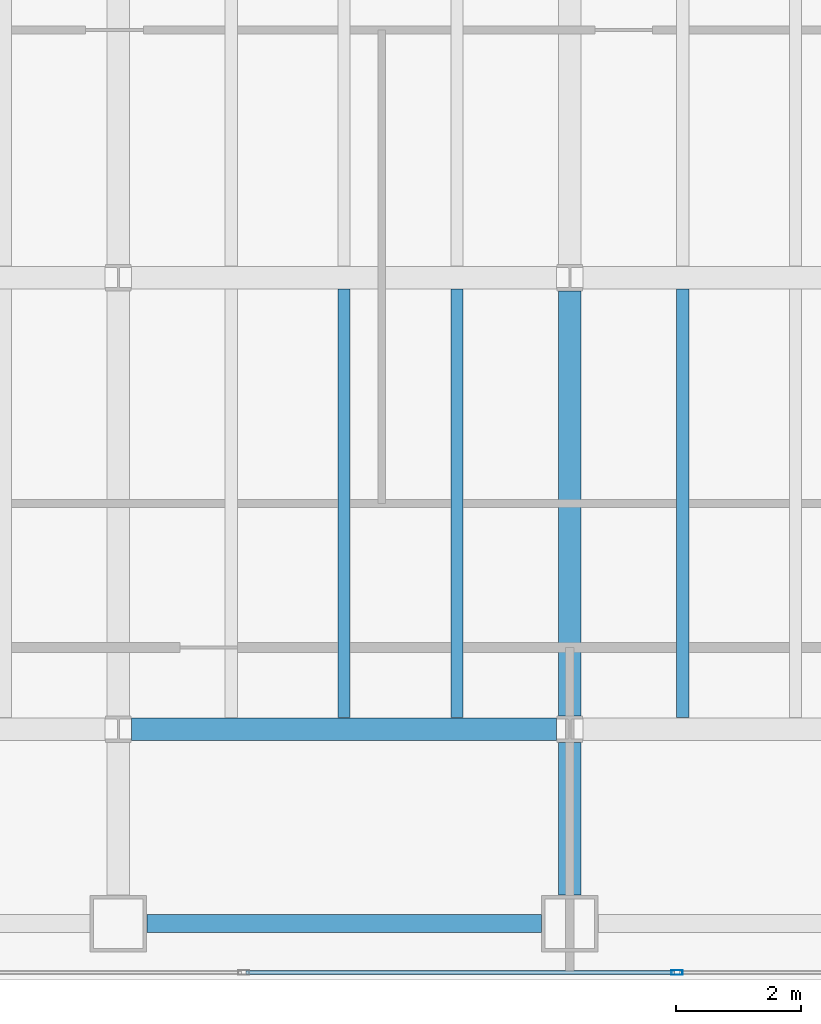
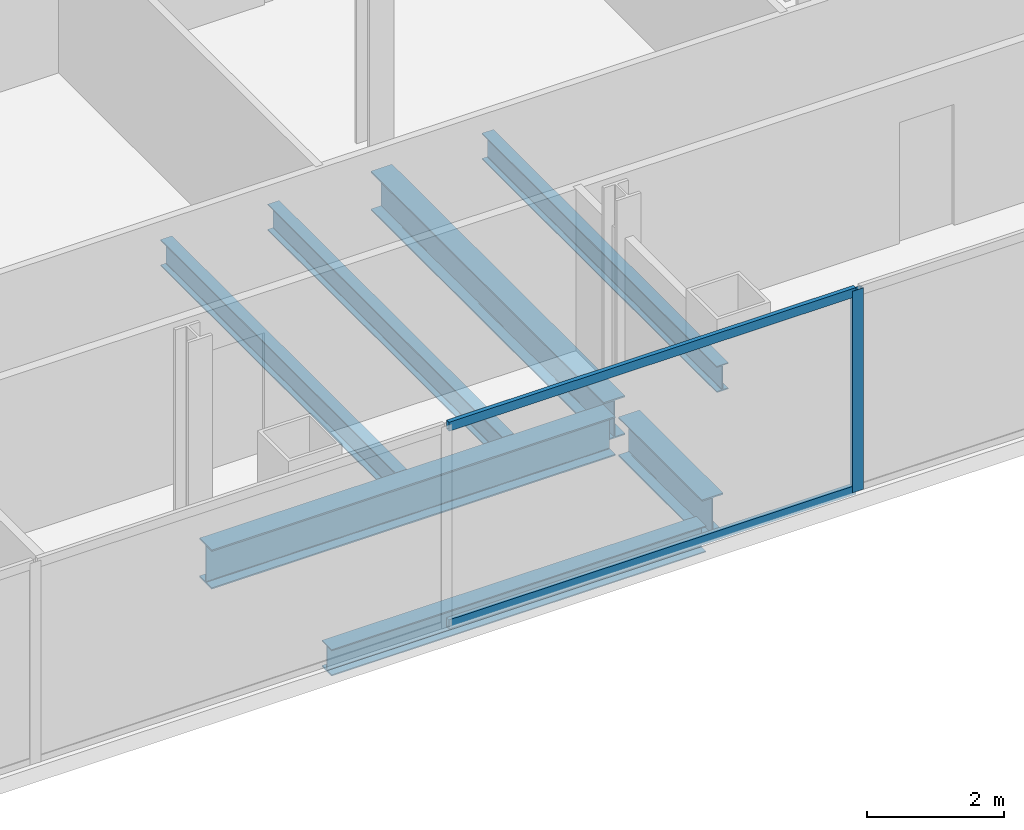
# One storey, part 5 of 23: 7 beams, 3 members, 1 element without a shape of its own.
"""IFC4 building model written with IfcOpenShell, lengths in metres."""

from ifc_helpers import new_model, si_unit, direction, frame, origin, origin_2d, place, context, subcontext, project, spatial, hollow_rectangle, i_section, extrude, material, material_profile, profile_set, type_object, element, aggregate, save


model = new_model("IFC4")

# Units and contexts
model_context = context("Model", 3, precision=1e-05, world=origin(), true_north=direction((0.0, 1.0)))
body_context = subcontext(model_context, "Body", "Model", "MODEL_VIEW")
ifc_project = project(units=[si_unit("LENGTHUNIT", "METRE"), si_unit("AREAUNIT", "SQUARE_METRE"), si_unit("VOLUMEUNIT", "CUBIC_METRE"), si_unit("PLANEANGLEUNIT", "RADIAN"), si_unit("MASSUNIT", "GRAM", prefix="KILO")], contexts=[model_context])

# Site, building, storey
site_placement = place(None, origin())
site = spatial("IfcSite", under=ifc_project, at=site_placement, CompositionType="ELEMENT")
building_placement = place(site_placement, origin())
building = spatial("IfcBuilding", under=site, at=building_placement, Name="Cobrela Telecom Tower", CompositionType="ELEMENT")
storey_placement = place(building_placement, frame((0.0, 0.0, 125.300048828125)))
storey = spatial("IfcBuildingStorey", under=building, at=storey_placement, Name="L31", CompositionType="ELEMENT", Elevation=125.300048828125)

# Beams
ifc_material_1 = material(Name="Steel ASTM A992 Grade 50", Category="steel")
ifc_material_profile_1 = material_profile(ifc_material_1, i_section(OverallWidth=0.35595703125, OverallDepth=0.696044921875, WebThickness=0.015380859375, FlangeThickness=0.024658203125, FilletRadius=0.01806640625, at=origin_2d()), Name="W27X146")
ifc_profile_set_1 = profile_set([ifc_material_profile_1], Name="Steel ASTM A992 Grade 50")
beam_type_1 = type_object("IfcBeamType", Name="BM-GIRD-05", PredefinedType="USERDEFINED", material=ifc_profile_set_1)
beam_1_placement = place(storey_placement, frame((21.8095703125, 7.199951171875, -0.6181640625), z_axis=(1.0, 0.0, 0.0), x_axis=(0.0, 1.0, 0.0)))
element("IfcBeam", 1, at=beam_1_placement, inside=storey, type_object=beam_type_1, Name="L31 Primary Girder X09", ObjectType="GIRDER", PredefinedType="USERDEFINED", context=body_context, shape_type="SweptSolid", body=[
    extrude(i_section(OverallWidth=0.35595703125, OverallDepth=0.696044921875, WebThickness=0.015380859375, FlangeThickness=0.024658203125, FilletRadius=0.01806640625, at=origin_2d()), origin(), (0.0, 0.0, 1.0), 6.781005859375),
])
beam_2_placement = place(storey_placement, frame((28.800048828125, 4.554931640625, -0.6181640625), z_axis=(0.0, 1.0, 0.0), x_axis=(-1.0, 0.0, 0.0)))
element("IfcBeam", 2, at=beam_2_placement, inside=storey, type_object=beam_type_1, Name="L31 Primary Girder Y46", ObjectType="GIRDER", PredefinedType="USERDEFINED", context=body_context, shape_type="SweptSolid", body=[
    extrude(i_section(OverallWidth=0.35595703125, OverallDepth=0.696044921875, WebThickness=0.015380859375, FlangeThickness=0.024658203125, FilletRadius=0.01806640625, at=origin_2d()), origin(), (0.0, 0.0, 1.0), 2.435546875),
])
beam_3_placement = place(storey_placement, frame((28.800048828125, 7.409423828125, -0.6181640625), z_axis=(0.0, 1.0, 0.0), x_axis=(-1.0, 0.0, 0.0)))
element("IfcBeam", 3, at=beam_3_placement, inside=storey, type_object=beam_type_1, Name="L31 Primary Girder Y47", ObjectType="GIRDER", PredefinedType="USERDEFINED", context=body_context, shape_type="SweptSolid", body=[
    extrude(i_section(OverallWidth=0.35595703125, OverallDepth=0.696044921875, WebThickness=0.015380859375, FlangeThickness=0.024658203125, FilletRadius=0.01806640625, at=origin_2d()), origin(), (0.0, 0.0, 1.0), 6.781005859375),
])
ifc_material_profile_2 = material_profile(ifc_material_1, i_section(OverallWidth=0.193115234375, OverallDepth=0.467041015625, WebThickness=0.011474609375, FlangeThickness=0.01904296875, FilletRadius=0.012939453125, at=origin_2d()), Name="W18X65")
ifc_profile_set_2 = profile_set([ifc_material_profile_2], Name="Steel ASTM A992 Grade 50")
beam_type_2 = type_object("IfcBeamType", Name="BM-JOIST-03", PredefinedType="JOIST", material=ifc_profile_set_2)
for number, where, z_axis, x_axis, name in (
    (4, (25.199951171875, 7.383056640625, -0.503662109375), (0.0, 1.0, 0.0), (-1.0, 0.0, 0.0), "L31 Secondary Composite Floor Beam J23"),
    (5, (27.0, 7.383056640625, -0.503662109375), (0.0, 1.0, 0.0), (-1.0, 0.0, 0.0), "L31 Secondary Composite Floor Beam J25"),
    (6, (30.60009765625, 7.383056640625, -0.503662109375), (0.0, 1.0, 0.0), (-1.0, 0.0, 0.0), "L31 Secondary Composite Floor Beam J27"),
):
    element("IfcBeam", number, at=place(storey_placement, frame(where, z_axis=z_axis, x_axis=x_axis)), inside=storey, type_object=beam_type_2, Name=name, PredefinedType="JOIST", context=body_context, shape_type="SweptSolid", body=[
        extrude(i_section(OverallWidth=0.193115234375, OverallDepth=0.467041015625, WebThickness=0.011474609375, FlangeThickness=0.01904296875, FilletRadius=0.012939453125, at=origin_2d()), origin(), (0.0, 0.0, 1.0), 6.833984375),
    ])
ifc_material_profile_3 = material_profile(ifc_material_1, i_section(OverallWidth=0.281982421875, OverallDepth=0.467041015625, WebThickness=0.01220703125, FlangeThickness=0.01953125, FilletRadius=0.012939453125, at=origin_2d()), Name="W18X86")
ifc_profile_set_3 = profile_set([ifc_material_profile_3], Name="Steel ASTM A992 Grade 50")
beam_type_3 = type_object("IfcBeamType", Name="BM-SPAND-04", PredefinedType="SPANDREL", material=ifc_profile_set_3)
beam_4_placement = place(storey_placement, frame((22.054931640625, 4.10009765625, -0.503662109375), z_axis=(1.0, 0.0, 0.0), x_axis=(0.0, 1.0, 0.0)))
element("IfcBeam", 7, at=beam_4_placement, inside=storey, type_object=beam_type_3, Name="L31 Perimeter Spandrel X03", PredefinedType="SPANDREL", context=body_context, shape_type="SweptSolid", body=[
    extrude(i_section(OverallWidth=0.281982421875, OverallDepth=0.467041015625, WebThickness=0.01220703125, FlangeThickness=0.01953125, FilletRadius=0.012939453125, at=origin_2d()), origin(), (0.0, 0.0, 1.0), 6.2900390625),
])

# Curtain wall, members
ifc_material_2 = material(Name="Anodized Bronze Aluminium 6063-T6", Category="aluminium")
curtain_wall_type = type_object("IfcCurtainWallType", Name="CW-SYS-TEL", PredefinedType="USERDEFINED", material=ifc_material_2)
curtain_wall_placement = place(storey_placement, origin())
curtain_wall = element("IfcCurtainWall", 8, at=curtain_wall_placement, inside=storey, type_object=curtain_wall_type, Name="L31 Unitised Bronze Curtain Wall 17", ObjectType="UNITISED CURTAIN WALL", PredefinedType="USERDEFINED")
ifc_material_profile_4 = material_profile(ifc_material_2, hollow_rectangle(XDim=0.074951171875, YDim=0.179931640625, WallThickness=0.00390625, at=origin_2d()), Name="ALU 75x180x4")
ifc_profile_set_4 = profile_set([ifc_material_profile_4], Name="Anodized Bronze Aluminium 6063-T6")
member_type_1 = type_object("IfcMemberType", Name="CW-SYS-TEL-MUL", PredefinedType="MULLION", material=ifc_profile_set_4)
member_1_placement = place(storey_placement, frame((30.510009765625, 3.320068359375, 0.0), z_axis=(0.0, 0.0, 1.0), x_axis=(0.0, -1.0, 0.0)))
member_1 = element("IfcMember", 9, at=member_1_placement, type_object=member_type_1, Name="CW-TEL mullion 3", PredefinedType="MULLION", context=body_context, shape_type="SweptSolid", body=[
    extrude(hollow_rectangle(XDim=0.074951171875, YDim=0.179931640625, WallThickness=0.00390625, at=origin_2d()), origin(), (0.0, 0.0, 1.0), 3.579833984375),
])
ifc_material_profile_5 = material_profile(ifc_material_2, hollow_rectangle(XDim=0.070068359375, YDim=0.159912109375, WallThickness=0.00390625, at=origin_2d()), Name="ALU 70x160x4")
ifc_profile_set_5 = profile_set([ifc_material_profile_5], Name="Anodized Bronze Aluminium 6063-T6")
member_type_2 = type_object("IfcMemberType", Name="CW-SYS-TEL-TRN", PredefinedType="USERDEFINED", material=ifc_profile_set_5)
member_2_placement = place(storey_placement, frame((30.472412109375, 3.320068359375, 0.034912109375), z_axis=(-1.0, 0.0, 0.0), x_axis=(0.0, -1.0, 0.0)))
member_2 = element("IfcMember", 10, at=member_2_placement, type_object=member_type_2, Name="CW-TEL transom 3.1", ObjectType="TRANSOM", PredefinedType="USERDEFINED", context=body_context, shape_type="SweptSolid", body=[
    extrude(hollow_rectangle(XDim=0.070068359375, YDim=0.159912109375, WallThickness=0.00390625, at=origin_2d()), origin(), (0.0, 0.0, 1.0), 6.8349609375),
])
member_3_placement = place(storey_placement, frame((30.472412109375, 3.320068359375, 3.544921875), z_axis=(-1.0, 0.0, 0.0), x_axis=(0.0, -1.0, 0.0)))
member_3 = element("IfcMember", 11, at=member_3_placement, type_object=member_type_2, Name="CW-TEL transom 3.2", ObjectType="TRANSOM", PredefinedType="USERDEFINED", context=body_context, shape_type="SweptSolid", body=[
    extrude(hollow_rectangle(XDim=0.070068359375, YDim=0.159912109375, WallThickness=0.00390625, at=origin_2d()), origin(), (0.0, 0.0, 1.0), 6.8349609375),
])
aggregate(curtain_wall, [member_1, member_2, member_3])

save(model, "model.ifc")
